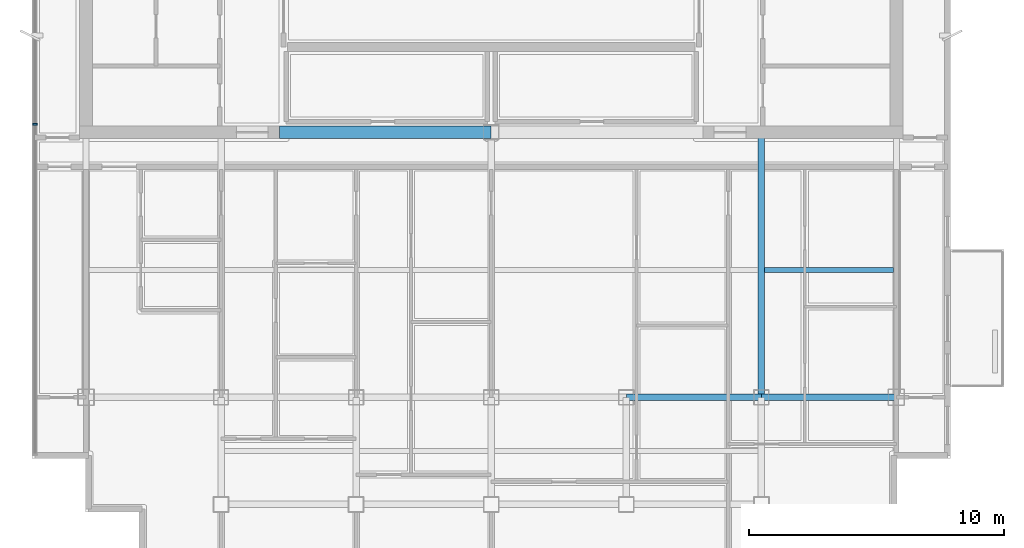
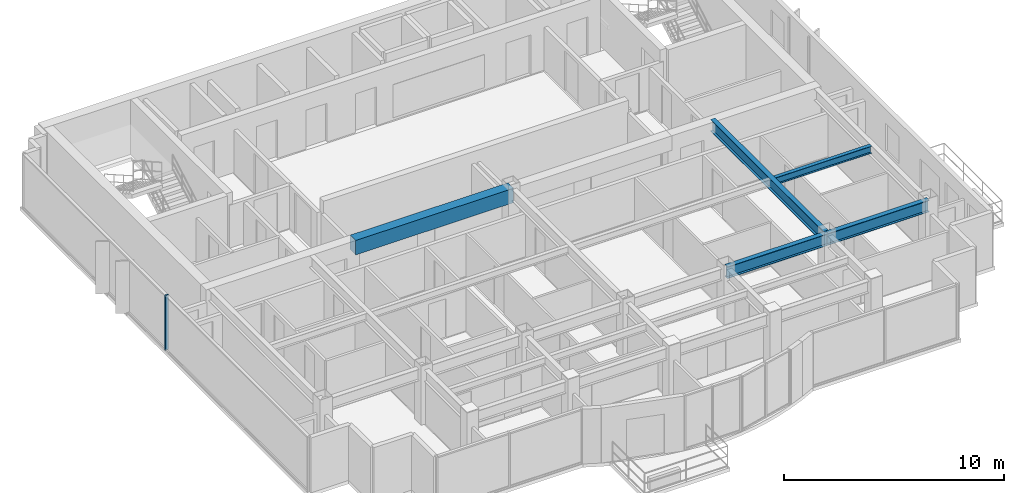
# One storey, part 2 of 11: 5 beams, 1 member, 1 element without a shape of its own.
"""IFC4 building model written with IfcOpenShell, lengths in metres."""

from ifc_helpers import new_model, si_unit, direction, frame, origin, origin_2d, place, context, subcontext, project, spatial, rectangle, i_section, extrude, source, transform, mapped, material, layer, layer_set, material_profile, profile_set, type_object, element, aggregate, save


model = new_model("IFC4")

# Units and contexts
model_context = context("Model", 3, precision=1e-05, world=origin(), true_north=direction((0.0, 1.0)))
body_context = subcontext(model_context, "Body", "Model", "MODEL_VIEW")
ifc_project = project(units=[si_unit("LENGTHUNIT", "METRE"), si_unit("AREAUNIT", "SQUARE_METRE"), si_unit("VOLUMEUNIT", "CUBIC_METRE"), si_unit("PLANEANGLEUNIT", "RADIAN"), si_unit("MASSUNIT", "GRAM", prefix="KILO")], contexts=[model_context])

# Site, building, storey
site_placement = place(None, origin())
site = spatial("IfcSite", under=ifc_project, at=site_placement, CompositionType="ELEMENT")
building_placement = place(site_placement, origin())
building = spatial("IfcBuilding", under=site, at=building_placement, Name="Qianlan Lanfeng Residences", CompositionType="ELEMENT")
storey_placement = place(building_placement, frame((0.0, 0.0, 262.699951171875)))
storey = spatial("IfcBuildingStorey", under=building, at=storey_placement, Name="L73", CompositionType="ELEMENT", Elevation=262.699951171875)

# Beams
ifc_material_1 = material(Name="Steel SN490B", Category="steel")
ifc_material_profile_1 = material_profile(ifc_material_1, i_section(OverallWidth=0.25, OverallDepth=0.64990234375, WebThickness=0.012939453125, FlangeThickness=0.02197265625, at=origin_2d()), Name="H 650x250x13x22")
ifc_profile_set_1 = profile_set([ifc_material_profile_1], Name="Steel SN490B")
beam_type_1 = type_object("IfcBeamType", Name="G-650", PredefinedType="BEAM", material=ifc_profile_set_1)
beam_1_placement = place(storey_placement, frame((31.800048828125, 14.800048828125, 2.715087890625), z_axis=(1.0, 0.0, 0.0), x_axis=(0.0, 1.0, 0.0)))
element("IfcBeam", 1, at=beam_1_placement, inside=storey, type_object=beam_type_1, Name="Structural beam G-650", PredefinedType="BEAM", context=body_context, shape_type="SweptSolid", body=[
    extrude(i_section(OverallWidth=0.25, OverallDepth=0.64990234375, WebThickness=0.012939453125, FlangeThickness=0.02197265625, at=origin_2d()), origin(), (0.0, 0.0, 1.0), 5.300048828125),
])
beam_2_placement = place(storey_placement, frame((37.10009765625, 14.800048828125, 2.715087890625), z_axis=(1.0, 0.0, 0.0), x_axis=(0.0, 1.0, 0.0)))
element("IfcBeam", 2, at=beam_2_placement, inside=storey, type_object=beam_type_1, Name="Structural beam G-650", PredefinedType="BEAM", context=body_context, shape_type="SweptSolid", body=[
    extrude(i_section(OverallWidth=0.25, OverallDepth=0.64990234375, WebThickness=0.012939453125, FlangeThickness=0.02197265625, at=origin_2d()), origin(), (0.0, 0.0, 1.0), 5.2998046875),
])
beam_3_placement = place(storey_placement, frame((37.10009765625, 14.800048828125, 2.715087890625), z_axis=(0.0, 1.0, 0.0), x_axis=(-1.0, 0.0, 0.0)))
element("IfcBeam", 3, at=beam_3_placement, inside=storey, type_object=beam_type_1, Name="Structural beam G-650", PredefinedType="BEAM", context=body_context, shape_type="SweptSolid", body=[
    extrude(i_section(OverallWidth=0.25, OverallDepth=0.64990234375, WebThickness=0.012939453125, FlangeThickness=0.02197265625, at=origin_2d()), origin(), (0.0, 0.0, 1.0), 10.39990234375),
])
ifc_material_profile_2 = material_profile(ifc_material_1, i_section(OverallWidth=0.199951171875, OverallDepth=0.39990234375, WebThickness=0.008056640625, FlangeThickness=0.012939453125, at=origin_2d()), Name="H 400x200x8x13")
ifc_profile_set_2 = profile_set([ifc_material_profile_2], Name="Steel SN490B")
beam_type_2 = type_object("IfcBeamType", Name="J-400", PredefinedType="JOIST", material=ifc_profile_set_2)
beam_4_placement = place(storey_placement, frame((37.22509765625, 19.800048828125, 2.840087890625), z_axis=(1.0, 0.0, 0.0), x_axis=(0.0, 1.0, 0.0)))
element("IfcBeam", 4, at=beam_4_placement, inside=storey, type_object=beam_type_2, Name="Structural beam J-400", PredefinedType="JOIST", context=body_context, shape_type="SweptSolid", body=[
    extrude(i_section(OverallWidth=0.199951171875, OverallDepth=0.39990234375, WebThickness=0.008056640625, FlangeThickness=0.012939453125, at=origin_2d()), origin(), (0.0, 0.0, 1.0), 5.0498046875),
])
ifc_material_2 = material(Name="Concrete C49", Category="concrete")
ifc_material_profile_3 = material_profile(ifc_material_2, rectangle(XDim=0.5, YDim=0.800048828125, at=origin_2d()), Name="RC 500x800")
ifc_profile_set_3 = profile_set([ifc_material_profile_3], Name="Concrete C49")
beam_type_3 = type_object("IfcBeamType", Name="LB-RC750", PredefinedType="BEAM", material=ifc_profile_set_3)
beam_5_placement = place(storey_placement, frame((18.199951171875, 25.199951171875, 2.64013671875), z_axis=(1.0, 0.0, 0.0), x_axis=(0.0, 1.0, 0.0)))
element("IfcBeam", 5, at=beam_5_placement, inside=storey, type_object=beam_type_3, Name="L73 Core Coupling Beam W", PredefinedType="BEAM", context=body_context, shape_type="SweptSolid", body=[
    extrude(rectangle(XDim=0.5, YDim=0.800048828125, at=origin_2d()), origin(), (0.0, 0.0, 1.0), 8.300048828125),
])

# Curtain wall, member
ifc_material_3 = material(Name="Anodised Bronze Aluminium 6063-T6", Category="aluminium")
ifc_layer = layer(ifc_material_3, 0.219970703125)
ifc_layer_set = layer_set([ifc_layer], Name="Anodised Bronze Aluminium 6063-T6")
curtain_wall_type = type_object("IfcCurtainWallType", Name="CW-06", PredefinedType="NOTDEFINED", material=ifc_layer_set)
curtain_wall_placement = place(storey_placement, origin())
curtain_wall = element("IfcCurtainWall", 6, at=curtain_wall_placement, inside=storey, type_object=curtain_wall_type, Name="L73 Unitised Curtain Wall CWR-L73-05 (CW-06)", PredefinedType="NOTDEFINED")
ifc_material_profile_4 = material_profile(ifc_material_3, rectangle(XDim=0.074951171875, YDim=0.179931640625, at=origin_2d()), Name="ALU MULLION 75x180")
ifc_profile_set_4 = profile_set([ifc_material_profile_4], Name="Anodised Bronze Aluminium 6063-T6")
member_type = type_object("IfcMemberType", Name="CWM-180", PredefinedType="MULLION", material=ifc_profile_set_4)
shared_shape = source(origin(), body_context, "Body", "SweptSolid", [
    extrude(rectangle(XDim=0.074951171875, YDim=0.179931640625, at=origin_2d()), origin(), (0.0, 0.0, 1.0), 3.0400390625),
])
member_placement = place(storey_placement, frame((8.60009765625, 25.52490234375, 0.0), z_axis=(0.0, 0.0, 1.0), x_axis=(0.0, -1.0, 0.0)))
member = element("IfcMember", 7, at=member_placement, type_object=member_type, Name="CWR-L73-05 Mullion 2", PredefinedType="MULLION", context=body_context, shape_type="MappedRepresentation", body=[
    mapped(shared_shape, transform((0.0, 0.0, 0.0), scale=1.0)),
])
aggregate(curtain_wall, [member])

save(model, "model.ifc")
